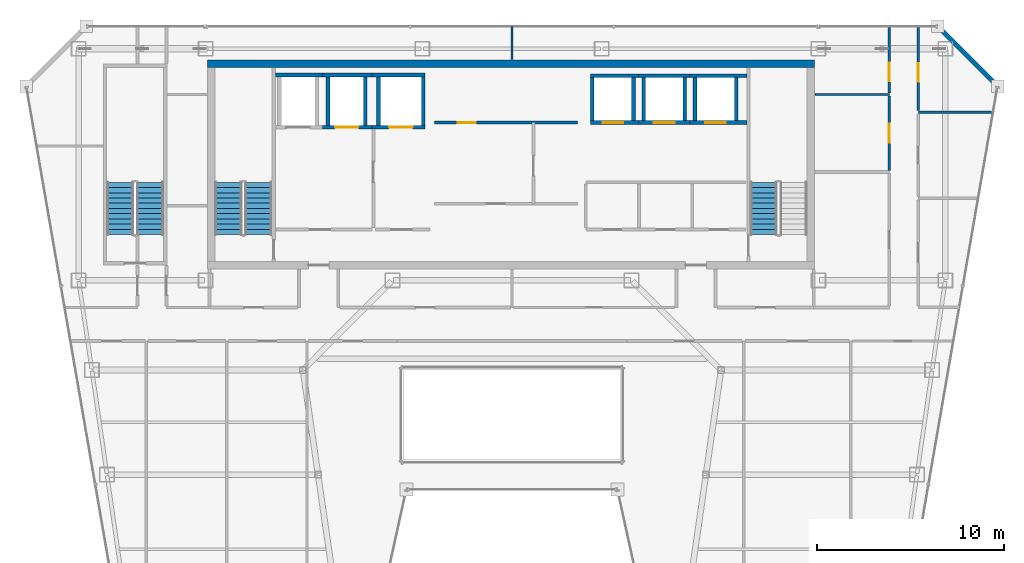
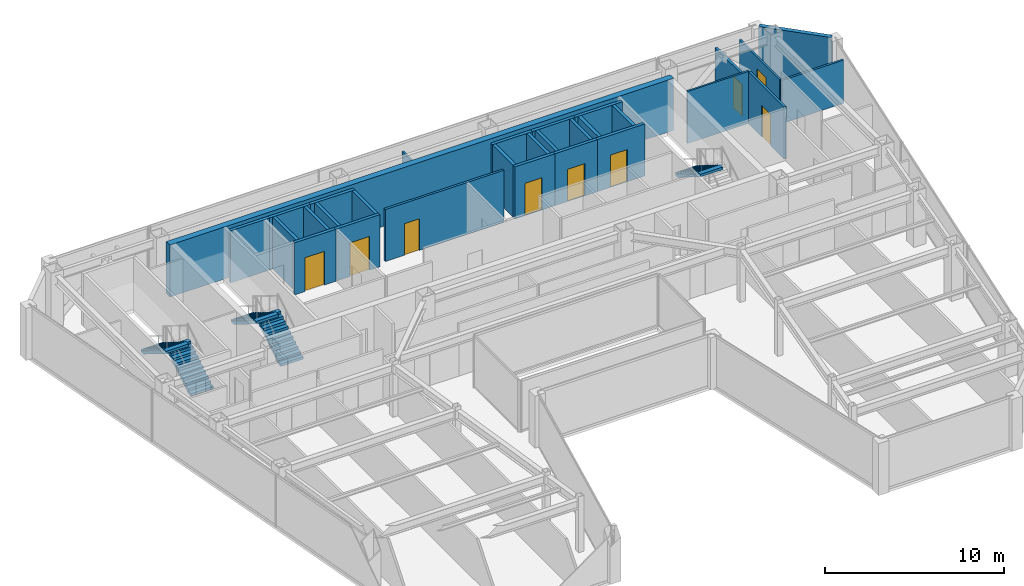
# One storey, part 28 of 33: 30 walls, 9 doors, 5 stair flights, 9 openings, 3 elements without a shape of their own.
"""IFC4 building model written with IfcOpenShell, lengths in metres."""

from ifc_helpers import new_model, si_unit, direction, frame, frame_2d, origin, place, context, subcontext, project, spatial, polyline, rectangle, outline, extrude, material, layer, layer_set, type_object, element, fill, aggregate, save


model = new_model("IFC4")

# Units and contexts
model_context = context("Model", 3, precision=1e-05, world=origin(), true_north=direction((0.0, 1.0)))
body_context = subcontext(model_context, "Body", "Model", "MODEL_VIEW")
ifc_project = project(units=[si_unit("LENGTHUNIT", "METRE"), si_unit("AREAUNIT", "SQUARE_METRE"), si_unit("VOLUMEUNIT", "CUBIC_METRE"), si_unit("PLANEANGLEUNIT", "RADIAN"), si_unit("MASSUNIT", "GRAM", prefix="KILO")], contexts=[model_context])

# Site, building, storey
site_placement = place(None, origin())
site = spatial("IfcSite", under=ifc_project, at=site_placement, CompositionType="ELEMENT")
building_placement = place(site_placement, origin())
building = spatial("IfcBuilding", under=site, at=building_placement, Name="Saevonmaru Cultural Tower", CompositionType="ELEMENT")
storey_placement = place(building_placement, frame((0.0, 0.0, 238.199951171875)))
storey = spatial("IfcBuildingStorey", under=building, at=storey_placement, Name="L55", CompositionType="ELEMENT", Elevation=238.199951171875)

# Wall
ifc_material_1 = material(Name="Concrete C50/60", Category="concrete")
ifc_layer_1 = layer(ifc_material_1, 0.39990234375, Name="Concrete C50/60")
ifc_layer_set_1 = layer_set([ifc_layer_1], Name="Concrete C50/60")
wall_type_1 = type_object("IfcWallType", Name="WL-CORE-400", PredefinedType="SHEAR", material=ifc_layer_set_1)
wall_1_placement = place(storey_placement, frame((13.699951171875, 54.0, 0.0), z_axis=(0.0, 0.0, 1.0), x_axis=(1.0, 0.0, 0.0)))
element("IfcWall", 1, at=wall_1_placement, inside=storey, type_object=wall_type_1, Name="L55 Tower RC core shear wall N", PredefinedType="SHEAR", context=body_context, shape_type="SweptSolid", body=[
    extrude(rectangle(XDim=32.5, YDim=0.39990234375, at=frame_2d((16.25, 0.0))), origin(), (0.0, 0.0, 1.0), 3.550048828125),
])

# Wall, opening, door
ifc_material_2 = material(Name="Gypsum Fireboard Partition", Category="gypsum")
ifc_layer_2 = layer(ifc_material_2, 0.14990234375, Name="Gypsum Fireboard Partition")
ifc_layer_set_2 = layer_set([ifc_layer_2], Name="Gypsum Fireboard Partition")
wall_type_2 = type_object("IfcWallType", Name="WL-CORE-PART-150", PredefinedType="PARTITIONING", material=ifc_layer_set_2)
wall_2_placement = place(storey_placement, frame((25.85009765625, 50.85009765625, 0.0), z_axis=(0.0, 0.0, 1.0), x_axis=(1.0, 0.0, 0.0)))
wall_2 = element("IfcWall", 2, at=wall_2_placement, inside=storey, type_object=wall_type_2, Name="L55 Reclaimed Core Room South Wall", PredefinedType="PARTITIONING", context=body_context, shape_type="SweptSolid", body=[
    extrude(rectangle(XDim=7.64990234375, YDim=0.14990234375, at=frame_2d((3.824951171875, 0.0))), origin(), (0.0, 0.0, 1.0), 3.550048828125),
])
opening_1_placement = place(wall_2_placement, frame((1.25, 0.0, 0.0)))
opening_1 = element("IfcOpeningElement", 3, at=opening_1_placement, cuts=wall_2, Name="Opening FD-4", PredefinedType="OPENING", context=body_context, shape_type="SweptSolid", body=[
    extrude(rectangle(XDim=0.949951171875, YDim=2.14990234375, at=frame_2d((0.47509765625, 1.074951171875))), frame((0.0, 0.0849609375, 0.0), z_axis=(0.0, -1.0, 0.0), x_axis=(1.0, 0.0, 0.0)), (0.0, 0.0, 1.0), 0.169921875),
])
ifc_material_3 = material(Name="Satin Bronze Anodised Aluminium", Category="aluminium")
door_type_1 = type_object("IfcDoorType", Name="DR-FD60-950", OperationType="SINGLE_SWING_LEFT", PredefinedType="DOOR", material=ifc_material_3)
door_1_placement = place(opening_1_placement, origin())
door_1 = element("IfcDoor", 4, at=door_1_placement, inside=storey, type_object=door_type_1, Name="L55 Reclaimed Archive Vault Door", OperationType="SINGLE_SWING_LEFT", OverallHeight=2.14990234375, OverallWidth=0.949951171875, PredefinedType="DOOR", context=body_context, shape_type="SweptSolid", body=[
    extrude(rectangle(XDim=0.949951171875, YDim=2.14990234375, at=frame_2d((0.47509765625, 1.074951171875))), frame((0.0, 0.02490234375, 0.0), z_axis=(0.0, -1.0, 0.0), x_axis=(1.0, 0.0, 0.0)), (0.0, 0.0, 1.0), 0.050048828125),
])
fill(opening_1, door_1)

# Wall
ifc_material_4 = material(Name="Granite-Clad Precast Concrete C40/50", Category="masonry")
ifc_layer_3 = layer(ifc_material_4, 0.260009765625, Name="Granite-Clad Precast Concrete C40/50")
ifc_layer_set_3 = layer_set([ifc_layer_3], Name="Granite-Clad Precast Concrete C40/50")
wall_type_3 = type_object("IfcWallType", Name="WL-EXT-SPANDREL-260", PredefinedType="STANDARD", material=ifc_layer_set_3)
wall_3_placement = place(storey_placement, frame((55.886962890625, 52.9130859375, 0.0), z_axis=(0.0, 0.0, 1.0), x_axis=(-0.707106781187, 0.707106781187, 0.0)))
element("IfcWall", 5, at=wall_3_placement, inside=storey, type_object=wall_type_3, Name="L55 Chamfer Corner Spandrel Wall E9", PredefinedType="STANDARD", context=body_context, shape_type="SweptSolid", body=[
    extrude(rectangle(XDim=4.205810546875, YDim=0.260009765625, at=frame_2d((2.10302734375, 0.0))), origin(), (0.0, 0.0, 1.0), 3.550048828125),
])

# Wall, opening, door
ifc_layer_4 = layer(ifc_material_2, 0.14990234375, Name="Gypsum Fireboard Partition")
ifc_layer_set_4 = layer_set([ifc_layer_4], Name="Gypsum Fireboard Partition")
wall_type_4 = type_object("IfcWallType", Name="WL-PART-FIRE-150", PredefinedType="PARTITIONING", material=ifc_layer_set_4)
wall_4_placement = place(storey_placement, frame((50.199951171875, 48.2900390625, 0.0), z_axis=(0.0, 0.0, 1.0), x_axis=(0.0, 1.0, 0.0)))
wall_4 = element("IfcWall", 6, at=wall_4_placement, inside=storey, type_object=wall_type_4, Name="L55 Chamber Rehearsal Auditorium Corridor Wall", PredefinedType="PARTITIONING", context=body_context, shape_type="SweptSolid", body=[
    extrude(rectangle(XDim=3.97998046875, YDim=0.14990234375, at=frame_2d((1.989990234375, 0.0))), origin(), (0.0, 0.0, 1.0), 3.550048828125),
])
opening_2_placement = place(wall_4_placement, frame((1.489990234375, 0.0, 0.0)))
opening_2 = element("IfcOpeningElement", 7, at=opening_2_placement, cuts=wall_4, Name="Opening ID-1B", PredefinedType="OPENING", context=body_context, shape_type="SweptSolid", body=[
    extrude(rectangle(XDim=1.0, YDim=2.14990234375, at=frame_2d((0.5, 1.074951171875))), frame((0.0, 0.0849609375, 0.0), z_axis=(0.0, -1.0, 0.0), x_axis=(1.0, 0.0, 0.0)), (0.0, 0.0, 1.0), 0.169921875),
])
ifc_material_5 = material(Name="Acoustic Stained Oak Timber", Category="wood")
door_type_2 = type_object("IfcDoorType", Name="DR-INT-1000", OperationType="SINGLE_SWING_RIGHT", PredefinedType="DOOR", material=ifc_material_5)
door_2_placement = place(opening_2_placement, origin())
door_2 = element("IfcDoor", 8, at=door_2_placement, inside=storey, type_object=door_type_2, Name="L55 Chamber Rehearsal Auditorium Door", OperationType="SINGLE_SWING_LEFT", OverallHeight=2.14990234375, OverallWidth=1.0, PredefinedType="DOOR", context=body_context, shape_type="SweptSolid", body=[
    extrude(rectangle(XDim=1.0, YDim=2.14990234375, at=frame_2d((0.5, 1.074951171875))), frame((0.0, 0.02490234375, 0.0), z_axis=(0.0, -1.0, 0.0), x_axis=(1.0, 0.0, 0.0)), (0.0, 0.0, 1.0), 0.050048828125),
])
fill(opening_2, door_2)

wall_5_placement = place(storey_placement, frame((50.199951171875, 52.429931640625, 0.0), z_axis=(0.0, 0.0, 1.0), x_axis=(0.0, 1.0, 0.0)))
wall_5 = element("IfcWall", 9, at=wall_5_placement, inside=storey, type_object=wall_type_4, Name="L55 Media Screening Auditorium Corridor Wall", PredefinedType="PARTITIONING", context=body_context, shape_type="SweptSolid", body=[
    extrude(rectangle(XDim=3.565185546875, YDim=0.14990234375, at=frame_2d((1.78271484375, 0.0))), origin(), (0.0, 0.0, 1.0), 2.93505859375),
])
opening_3_placement = place(wall_5_placement, frame((0.6220703125, 0.0, 0.0)))
opening_3 = element("IfcOpeningElement", 10, at=opening_3_placement, cuts=wall_5, Name="Opening ID-1B", PredefinedType="OPENING", context=body_context, shape_type="SweptSolid", body=[
    extrude(rectangle(XDim=1.0, YDim=2.14990234375, at=frame_2d((0.5, 1.074951171875))), frame((0.0, 0.0849609375, 0.0), z_axis=(0.0, -1.0, 0.0), x_axis=(1.0, 0.0, 0.0)), (0.0, 0.0, 1.0), 0.169921875),
])
door_3_placement = place(opening_3_placement, origin())
door_3 = element("IfcDoor", 11, at=door_3_placement, inside=storey, type_object=door_type_2, Name="L55 Media Screening Auditorium Door", OperationType="SINGLE_SWING_RIGHT", OverallHeight=2.14990234375, OverallWidth=1.0, PredefinedType="DOOR", context=body_context, shape_type="SweptSolid", body=[
    extrude(rectangle(XDim=1.0, YDim=2.14990234375, at=frame_2d((0.5, 1.074951171875))), frame((0.0, 0.02490234375, 0.0), z_axis=(0.0, -1.0, 0.0), x_axis=(1.0, 0.0, 0.0)), (0.0, 0.0, 1.0), 0.050048828125),
])
fill(opening_3, door_3)

# Walls
ifc_layer_5 = layer(ifc_material_2, 0.1201171875, Name="Gypsum Fireboard Partition")
ifc_layer_set_5 = layer_set([ifc_layer_5], Name="Gypsum Fireboard Partition")
wall_type_5 = type_object("IfcWallType", Name="WL-PART-GYP-120", PredefinedType="PARTITIONING", material=ifc_layer_set_5)
wall_6_placement = place(storey_placement, frame((46.219970703125, 52.35009765625, 0.0), z_axis=(0.0, 0.0, 1.0), x_axis=(1.0, 0.0, 0.0)))
element("IfcWall", 12, at=wall_6_placement, inside=storey, type_object=wall_type_5, Name="L55 North-East Panorama South Wall", PredefinedType="PARTITIONING", context=body_context, shape_type="SweptSolid", body=[
    extrude(rectangle(XDim=3.97998046875, YDim=0.1201171875, at=frame_2d((1.989990234375, 0.0))), origin(), (0.0, 0.0, 1.0), 3.550048828125),
])
wall_7_placement = place(storey_placement, frame((30.0, 54.219970703125, 0.0), z_axis=(0.0, 0.0, 1.0), x_axis=(0.0, 1.0, 0.0)))
element("IfcWall", 13, at=wall_7_placement, inside=storey, type_object=wall_type_5, Name="L55 North Panorama Center Split", PredefinedType="PARTITIONING", context=body_context, shape_type="SweptSolid", body=[
    extrude(rectangle(XDim=1.775146484375, YDim=0.1201171875, at=frame_2d((0.8876953125, 0.0))), origin(), (0.0, 0.0, 1.0), 2.93505859375),
])

# Wall, opening, door
wall_8_placement = place(storey_placement, frame((51.75, 51.487548828125, 0.0), z_axis=(0.0, 0.0, 1.0), x_axis=(0.0, 1.0, 0.0)))
wall_8 = element("IfcWall", 14, at=wall_8_placement, inside=storey, type_object=wall_type_5, Name="L55 Botanical Tea Bistro Corridor Wall", PredefinedType="PARTITIONING", context=body_context, shape_type="SweptSolid", body=[
    extrude(rectangle(XDim=4.507568359375, YDim=0.1201171875, at=frame_2d((2.25390625, 0.0))), origin(), (0.0, 0.0, 1.0), 2.93505859375),
])
opening_4_placement = place(wall_8_placement, frame((1.533935546875, 0.0, 0.0)))
opening_4 = element("IfcOpeningElement", 15, at=opening_4_placement, cuts=wall_8, Name="Opening ID-1B", PredefinedType="OPENING", context=body_context, shape_type="SweptSolid", body=[
    extrude(rectangle(XDim=1.0, YDim=2.14990234375, at=frame_2d((0.5, 1.074951171875))), frame((0.0, 0.070068359375, 0.0), z_axis=(0.0, -1.0, 0.0), x_axis=(1.0, 0.0, 0.0)), (0.0, 0.0, 1.0), 0.14013671875),
])
door_4_placement = place(opening_4_placement, origin())
door_4 = element("IfcDoor", 16, at=door_4_placement, inside=storey, type_object=door_type_2, Name="L55 Botanical Tea Bistro Door", OperationType="SINGLE_SWING_LEFT", OverallHeight=2.14990234375, OverallWidth=1.0, PredefinedType="DOOR", context=body_context, shape_type="SweptSolid", body=[
    extrude(rectangle(XDim=1.0, YDim=2.14990234375, at=frame_2d((0.5, 1.074951171875))), frame((0.0, 0.02490234375, 0.0), z_axis=(0.0, -1.0, 0.0), x_axis=(1.0, 0.0, 0.0)), (0.0, 0.0, 1.0), 0.050048828125),
])
fill(opening_4, door_4)

# Walls
ifc_layer_6 = layer(ifc_material_2, 0.135009765625, Name="Gypsum Fireboard Partition")
ifc_layer_set_6 = layer_set([ifc_layer_6], Name="Gypsum Fireboard Partition")
wall_type_6 = type_object("IfcWallType", Name="WL-PART-GYP-135", PredefinedType="PARTITIONING", material=ifc_layer_set_6)
wall_9_placement = place(storey_placement, frame((51.75, 51.39990234375, 0.0), z_axis=(0.0, 0.0, 1.0), x_axis=(1.0, 0.0, 0.0)))
element("IfcWall", 17, at=wall_9_placement, inside=storey, type_object=wall_type_6, Name="L55 NE Studio Divider 2", PredefinedType="PARTITIONING", context=body_context, shape_type="SweptSolid", body=[
    extrude(rectangle(XDim=4.002197265625, YDim=0.135009765625, at=frame_2d((2.0009765625, 0.0))), origin(), (0.0, 0.0, 1.0), 2.947021484375),
])
ifc_material_6 = material(Name="Concrete C40/50", Category="concrete")
ifc_layer_7 = layer(ifc_material_6, 0.199951171875, Name="Concrete C40/50")
ifc_layer_set_7 = layer_set([ifc_layer_7], Name="Concrete C40/50")
wall_type_7 = type_object("IfcWallType", Name="WL-SHAFT-200", PredefinedType="SHEAR", material=ifc_layer_set_7)
wall_10_placement = place(storey_placement, frame((17.330078125, 53.39990234375, 0.0), z_axis=(0.0, 0.0, 1.0), x_axis=(1.0, 0.0, 0.0)))
element("IfcWall", 18, at=wall_10_placement, inside=storey, type_object=wall_type_7, Name="L55 Lift FFL-1 Hoistway Wall N", PredefinedType="SHEAR", context=body_context, shape_type="SweptSolid", body=[
    extrude(rectangle(XDim=2.52001953125, YDim=0.199951171875, at=frame_2d((1.260009765625, 0.0))), origin(), (0.0, 0.0, 1.0), 3.550048828125),
])

# Wall, opening, door
wall_11_placement = place(storey_placement, frame((19.85009765625, 50.60009765625, 0.0), z_axis=(0.0, 0.0, 1.0), x_axis=(1.0, 0.0, 0.0)))
wall_11 = element("IfcWall", 19, at=wall_11_placement, inside=storey, type_object=wall_type_7, Name="L55 Lift FFL-2 Hoistway Wall S", PredefinedType="SHEAR", context=body_context, shape_type="SweptSolid", body=[
    extrude(rectangle(XDim=2.64990234375, YDim=0.199951171875, at=frame_2d((1.324951171875, 0.0))), origin(), (0.0, 0.0, 1.0), 3.550048828125),
])
opening_5_placement = place(wall_11_placement, frame((0.675048828125, 0.0, 0.0)))
opening_5 = element("IfcOpeningElement", 20, at=opening_5_placement, cuts=wall_11, Name="Opening LD-2", PredefinedType="OPENING", context=body_context, shape_type="SweptSolid", body=[
    extrude(rectangle(XDim=1.25, YDim=2.300048828125, at=frame_2d((0.625, 1.14990234375))), frame((0.0, 0.10986328125, 0.0), z_axis=(0.0, -1.0, 0.0), x_axis=(1.0, 0.0, 0.0)), (0.0, 0.0, 1.0), 0.219970703125),
])
ifc_material_7 = material(Name="Stainless Steel 316", Category="steel")
door_type_3 = type_object("IfcDoorType", Name="DR-LIFT-1250", OperationType="SLIDING_TO_LEFT", PredefinedType="DOOR", material=ifc_material_7)
door_5_placement = place(opening_5_placement, origin())
door_5 = element("IfcDoor", 21, at=door_5_placement, inside=storey, type_object=door_type_3, Name="L55 Lift FFL-2 Sliding Landing Door", OperationType="SLIDING_TO_LEFT", OverallHeight=2.300048828125, OverallWidth=1.25, PredefinedType="DOOR", context=body_context, shape_type="SweptSolid", body=[
    extrude(rectangle(XDim=1.25, YDim=2.300048828125, at=frame_2d((0.625, 1.14990234375))), frame((0.0, 0.02490234375, 0.0), z_axis=(0.0, -1.0, 0.0), x_axis=(1.0, 0.0, 0.0)), (0.0, 0.0, 1.0), 0.050048828125),
])
fill(opening_5, door_5)

# Walls
wall_12_placement = place(storey_placement, frame((19.85009765625, 53.39990234375, 0.0), z_axis=(0.0, 0.0, 1.0), x_axis=(1.0, 0.0, 0.0)))
element("IfcWall", 22, at=wall_12_placement, inside=storey, type_object=wall_type_7, Name="L55 Lift FFL-2 Hoistway Wall N", PredefinedType="SHEAR", context=body_context, shape_type="SweptSolid", body=[
    extrude(rectangle(XDim=2.64990234375, YDim=0.199951171875, at=frame_2d((1.324951171875, 0.0))), origin(), (0.0, 0.0, 1.0), 3.550048828125),
])
for number, where, z_axis, x_axis, name in (
    (23, (20.14990234375, 50.699951171875, 0.0), (0.0, 0.0, 1.0), (0.0, 1.0, 0.0), "L55 Lift FFL-2 Hoistway Wall W"),
    (24, (22.14990234375, 50.699951171875, 0.0), (0.0, 0.0, 1.0), (0.0, 1.0, 0.0), "L55 Lift FFL-2 Hoistway Wall E"),
):
    element("IfcWall", number, at=place(storey_placement, frame(where, z_axis=z_axis, x_axis=x_axis)), inside=storey, type_object=wall_type_7, Name=name, PredefinedType="SHEAR", context=body_context, shape_type="SweptSolid", body=[
        extrude(rectangle(XDim=2.60009765625, YDim=0.199951171875, at=frame_2d((1.300048828125, 0.0))), origin(), (0.0, 0.0, 1.0), 3.550048828125),
    ])

# Wall, opening, door
wall_13_placement = place(storey_placement, frame((22.5, 50.60009765625, 0.0), z_axis=(0.0, 0.0, 1.0), x_axis=(1.0, 0.0, 0.0)))
wall_13 = element("IfcWall", 25, at=wall_13_placement, inside=storey, type_object=wall_type_7, Name="L55 Lift GL-1 Hoistway Wall S", PredefinedType="SHEAR", context=body_context, shape_type="SweptSolid", body=[
    extrude(rectangle(XDim=2.85009765625, YDim=0.199951171875, at=frame_2d((1.425048828125, 0.0))), origin(), (0.0, 0.0, 1.0), 3.550048828125),
])
opening_6_placement = place(wall_13_placement, frame((0.925048828125, 0.0, 0.0)))
opening_6 = element("IfcOpeningElement", 26, at=opening_6_placement, cuts=wall_13, Name="Opening LD-2", PredefinedType="OPENING", context=body_context, shape_type="SweptSolid", body=[
    extrude(rectangle(XDim=1.25, YDim=2.300048828125, at=frame_2d((0.625, 1.14990234375))), frame((0.0, 0.10986328125, 0.0), z_axis=(0.0, -1.0, 0.0), x_axis=(1.0, 0.0, 0.0)), (0.0, 0.0, 1.0), 0.219970703125),
])
door_6_placement = place(opening_6_placement, origin())
door_6 = element("IfcDoor", 27, at=door_6_placement, inside=storey, type_object=door_type_3, Name="L55 Lift GL-1 Sliding Landing Door", OperationType="SLIDING_TO_LEFT", OverallHeight=2.300048828125, OverallWidth=1.25, PredefinedType="DOOR", context=body_context, shape_type="SweptSolid", body=[
    extrude(rectangle(XDim=1.25, YDim=2.300048828125, at=frame_2d((0.625, 1.14990234375))), frame((0.0, 0.02490234375, 0.0), z_axis=(0.0, -1.0, 0.0), x_axis=(1.0, 0.0, 0.0)), (0.0, 0.0, 1.0), 0.050048828125),
])
fill(opening_6, door_6)

# Walls
wall_14_placement = place(storey_placement, frame((22.5, 53.39990234375, 0.0), z_axis=(0.0, 0.0, 1.0), x_axis=(1.0, 0.0, 0.0)))
element("IfcWall", 28, at=wall_14_placement, inside=storey, type_object=wall_type_7, Name="L55 Lift GL-1 Hoistway Wall N", PredefinedType="SHEAR", context=body_context, shape_type="SweptSolid", body=[
    extrude(rectangle(XDim=2.85009765625, YDim=0.199951171875, at=frame_2d((1.425048828125, 0.0))), origin(), (0.0, 0.0, 1.0), 3.550048828125),
])
for number, where, z_axis, x_axis, name in (
    (29, (22.85009765625, 50.699951171875, 0.0), (0.0, 0.0, 1.0), (0.0, 1.0, 0.0), "L55 Lift GL-1 Hoistway Wall W"),
    (30, (25.25, 50.699951171875, 0.0), (0.0, 0.0, 1.0), (0.0, 1.0, 0.0), "L55 Lift GL-1 Hoistway Wall E"),
):
    element("IfcWall", number, at=place(storey_placement, frame(where, z_axis=z_axis, x_axis=x_axis)), inside=storey, type_object=wall_type_7, Name=name, PredefinedType="SHEAR", context=body_context, shape_type="SweptSolid", body=[
        extrude(rectangle(XDim=2.60009765625, YDim=0.199951171875, at=frame_2d((1.300048828125, 0.0))), origin(), (0.0, 0.0, 1.0), 3.550048828125),
    ])

# Wall, opening, door
wall_15_placement = place(storey_placement, frame((34.199951171875, 50.85009765625, 0.0), z_axis=(0.0, 0.0, 1.0), x_axis=(1.0, 0.0, 0.0)))
wall_15 = element("IfcWall", 31, at=wall_15_placement, inside=storey, type_object=wall_type_7, Name="L55 Lift PL-H1 Hoistway Wall S", PredefinedType="SHEAR", context=body_context, shape_type="SweptSolid", body=[
    extrude(rectangle(XDim=2.574951171875, YDim=0.199951171875, at=frame_2d((1.28759765625, 0.0))), origin(), (0.0, 0.0, 1.0), 3.550048828125),
])
opening_7_placement = place(wall_15_placement, frame((0.64990234375, 0.0, 0.0)))
opening_7 = element("IfcOpeningElement", 32, at=opening_7_placement, cuts=wall_15, Name="Opening LD-1", PredefinedType="OPENING", context=body_context, shape_type="SweptSolid", body=[
    extrude(rectangle(XDim=1.10009765625, YDim=2.199951171875, at=frame_2d((0.550048828125, 1.10009765625))), frame((0.0, 0.10986328125, 0.0), z_axis=(0.0, -1.0, 0.0), x_axis=(1.0, 0.0, 0.0)), (0.0, 0.0, 1.0), 0.219970703125),
])
ifc_material_8 = material(Name="Satin Bronze Stainless Steel", Category="steel")
door_type_4 = type_object("IfcDoorType", Name="DR-LIFT-1100", OperationType="SLIDING_TO_LEFT", PredefinedType="DOOR", material=ifc_material_8)
door_7_placement = place(opening_7_placement, origin())
door_7 = element("IfcDoor", 33, at=door_7_placement, inside=storey, type_object=door_type_4, Name="L55 Lift PL-H1 Sliding Landing Door", OperationType="SLIDING_TO_LEFT", OverallHeight=2.199951171875, OverallWidth=1.10009765625, PredefinedType="DOOR", context=body_context, shape_type="SweptSolid", body=[
    extrude(rectangle(XDim=1.10009765625, YDim=2.199951171875, at=frame_2d((0.550048828125, 1.10009765625))), frame((0.0, 0.02490234375, 0.0), z_axis=(0.0, -1.0, 0.0), x_axis=(1.0, 0.0, 0.0)), (0.0, 0.0, 1.0), 0.050048828125),
])
fill(opening_7, door_7)

# Walls
wall_16_placement = place(storey_placement, frame((34.199951171875, 53.35009765625, 0.0), z_axis=(0.0, 0.0, 1.0), x_axis=(1.0, 0.0, 0.0)))
element("IfcWall", 34, at=wall_16_placement, inside=storey, type_object=wall_type_7, Name="L55 Lift PL-H1 Hoistway Wall N", PredefinedType="SHEAR", context=body_context, shape_type="SweptSolid", body=[
    extrude(rectangle(XDim=2.574951171875, YDim=0.199951171875, at=frame_2d((1.28759765625, 0.0))), origin(), (0.0, 0.0, 1.0), 3.550048828125),
])
for number, where, z_axis, x_axis, name in (
    (35, (34.300048828125, 50.949951171875, 0.0), (0.0, 0.0, 1.0), (0.0, 1.0, 0.0), "L55 Lift PL-H1 Hoistway Wall W"),
    (36, (36.5, 50.949951171875, 0.0), (0.0, 0.0, 1.0), (0.0, 1.0, 0.0), "L55 Lift PL-H1 Hoistway Wall E"),
):
    element("IfcWall", number, at=place(storey_placement, frame(where, z_axis=z_axis, x_axis=x_axis)), inside=storey, type_object=wall_type_7, Name=name, PredefinedType="SHEAR", context=body_context, shape_type="SweptSolid", body=[
        extrude(rectangle(XDim=2.300048828125, YDim=0.199951171875, at=frame_2d((1.14990234375, 0.0))), origin(), (0.0, 0.0, 1.0), 3.550048828125),
    ])

# Wall, opening, door
wall_17_placement = place(storey_placement, frame((36.77490234375, 50.85009765625, 0.0), z_axis=(0.0, 0.0, 1.0), x_axis=(1.0, 0.0, 0.0)))
wall_17 = element("IfcWall", 37, at=wall_17_placement, inside=storey, type_object=wall_type_7, Name="L55 Lift PL-H2 Hoistway Wall S", PredefinedType="SHEAR", context=body_context, shape_type="SweptSolid", body=[
    extrude(rectangle(XDim=2.75, YDim=0.199951171875, at=frame_2d((1.375, 0.0))), origin(), (0.0, 0.0, 1.0), 3.550048828125),
])
opening_8_placement = place(wall_17_placement, frame((0.824951171875, 0.0, 0.0)))
opening_8 = element("IfcOpeningElement", 38, at=opening_8_placement, cuts=wall_17, Name="Opening LD-1", PredefinedType="OPENING", context=body_context, shape_type="SweptSolid", body=[
    extrude(rectangle(XDim=1.10009765625, YDim=2.199951171875, at=frame_2d((0.550048828125, 1.10009765625))), frame((0.0, 0.10986328125, 0.0), z_axis=(0.0, -1.0, 0.0), x_axis=(1.0, 0.0, 0.0)), (0.0, 0.0, 1.0), 0.219970703125),
])
door_8_placement = place(opening_8_placement, origin())
door_8 = element("IfcDoor", 39, at=door_8_placement, inside=storey, type_object=door_type_4, Name="L55 Lift PL-H2 Sliding Landing Door", OperationType="SLIDING_TO_LEFT", OverallHeight=2.199951171875, OverallWidth=1.10009765625, PredefinedType="DOOR", context=body_context, shape_type="SweptSolid", body=[
    extrude(rectangle(XDim=1.10009765625, YDim=2.199951171875, at=frame_2d((0.550048828125, 1.10009765625))), frame((0.0, 0.02490234375, 0.0), z_axis=(0.0, -1.0, 0.0), x_axis=(1.0, 0.0, 0.0)), (0.0, 0.0, 1.0), 0.050048828125),
])
fill(opening_8, door_8)

# Walls
wall_18_placement = place(storey_placement, frame((36.77490234375, 53.35009765625, 0.0), z_axis=(0.0, 0.0, 1.0), x_axis=(1.0, 0.0, 0.0)))
element("IfcWall", 40, at=wall_18_placement, inside=storey, type_object=wall_type_7, Name="L55 Lift PL-H2 Hoistway Wall N", PredefinedType="SHEAR", context=body_context, shape_type="SweptSolid", body=[
    extrude(rectangle(XDim=2.75, YDim=0.199951171875, at=frame_2d((1.375, 0.0))), origin(), (0.0, 0.0, 1.0), 3.550048828125),
])
for number, where, z_axis, x_axis, name in (
    (41, (37.050048828125, 50.949951171875, 0.0), (0.0, 0.0, 1.0), (0.0, 1.0, 0.0), "L55 Lift PL-H2 Hoistway Wall W"),
    (42, (39.25, 50.949951171875, 0.0), (0.0, 0.0, 1.0), (0.0, 1.0, 0.0), "L55 Lift PL-H2 Hoistway Wall E"),
):
    element("IfcWall", number, at=place(storey_placement, frame(where, z_axis=z_axis, x_axis=x_axis)), inside=storey, type_object=wall_type_7, Name=name, PredefinedType="SHEAR", context=body_context, shape_type="SweptSolid", body=[
        extrude(rectangle(XDim=2.300048828125, YDim=0.199951171875, at=frame_2d((1.14990234375, 0.0))), origin(), (0.0, 0.0, 1.0), 3.550048828125),
    ])

# Wall, opening, door
wall_19_placement = place(storey_placement, frame((39.52490234375, 50.85009765625, 0.0), z_axis=(0.0, 0.0, 1.0), x_axis=(1.0, 0.0, 0.0)))
wall_19 = element("IfcWall", 43, at=wall_19_placement, inside=storey, type_object=wall_type_7, Name="L55 Lift PL-H3 Hoistway Wall S", PredefinedType="SHEAR", context=body_context, shape_type="SweptSolid", body=[
    extrude(rectangle(XDim=3.045166015625, YDim=0.199951171875, at=frame_2d((1.5224609375, 0.0))), origin(), (0.0, 0.0, 1.0), 3.550048828125),
])
opening_9_placement = place(wall_19_placement, frame((0.824951171875, 0.0, 0.0)))
opening_9 = element("IfcOpeningElement", 44, at=opening_9_placement, cuts=wall_19, Name="Opening LD-1", PredefinedType="OPENING", context=body_context, shape_type="SweptSolid", body=[
    extrude(rectangle(XDim=1.10009765625, YDim=2.199951171875, at=frame_2d((0.550048828125, 1.10009765625))), frame((0.0, 0.10986328125, 0.0), z_axis=(0.0, -1.0, 0.0), x_axis=(1.0, 0.0, 0.0)), (0.0, 0.0, 1.0), 0.219970703125),
])
door_9_placement = place(opening_9_placement, origin())
door_9 = element("IfcDoor", 45, at=door_9_placement, inside=storey, type_object=door_type_4, Name="L55 Lift PL-H3 Sliding Landing Door", OperationType="SLIDING_TO_LEFT", OverallHeight=2.199951171875, OverallWidth=1.10009765625, PredefinedType="DOOR", context=body_context, shape_type="SweptSolid", body=[
    extrude(rectangle(XDim=1.10009765625, YDim=2.199951171875, at=frame_2d((0.550048828125, 1.10009765625))), frame((0.0, 0.02490234375, 0.0), z_axis=(0.0, -1.0, 0.0), x_axis=(1.0, 0.0, 0.0)), (0.0, 0.0, 1.0), 0.050048828125),
])
fill(opening_9, door_9)

# Walls
wall_20_placement = place(storey_placement, frame((39.52490234375, 53.35009765625, 0.0), z_axis=(0.0, 0.0, 1.0), x_axis=(1.0, 0.0, 0.0)))
element("IfcWall", 46, at=wall_20_placement, inside=storey, type_object=wall_type_7, Name="L55 Lift PL-H3 Hoistway Wall N", PredefinedType="SHEAR", context=body_context, shape_type="SweptSolid", body=[
    extrude(rectangle(XDim=3.045166015625, YDim=0.199951171875, at=frame_2d((1.5224609375, 0.0))), origin(), (0.0, 0.0, 1.0), 3.550048828125),
])
for number, where, z_axis, x_axis, name in (
    (47, (39.800048828125, 50.949951171875, 0.0), (0.0, 0.0, 1.0), (0.0, 1.0, 0.0), "L55 Lift PL-H3 Hoistway Wall W"),
    (48, (42.0, 50.949951171875, 0.0), (0.0, 0.0, 1.0), (0.0, 1.0, 0.0), "L55 Lift PL-H3 Hoistway Wall E"),
):
    element("IfcWall", number, at=place(storey_placement, frame(where, z_axis=z_axis, x_axis=x_axis)), inside=storey, type_object=wall_type_7, Name=name, PredefinedType="SHEAR", context=body_context, shape_type="SweptSolid", body=[
        extrude(rectangle(XDim=2.300048828125, YDim=0.199951171875, at=frame_2d((1.14990234375, 0.0))), origin(), (0.0, 0.0, 1.0), 3.550048828125),
    ])

# Stair, stair flights
stair_type = type_object("IfcStairType", Name="STR-DOGLEG-RC", PredefinedType="HALF_TURN_STAIR", material=ifc_material_6)
stair_1_placement = place(storey_placement, origin())
stair_1 = element("IfcStair", 49, at=stair_1_placement, inside=storey, type_object=stair_type, Name="L55 Protected exit stair ST-1", PredefinedType="HALF_TURN_STAIR")
ifc_material_9 = material(Name="Precast concrete C40/50", Category="concrete")
stair_flight_type = type_object("IfcStairFlightType", Name="STF-PRECAST-180", PredefinedType="STRAIGHT", material=ifc_material_9)
stair_flight_1_placement = place(storey_placement, frame((16.425048828125, 44.85009765625, 0.0), z_axis=(0.0, 0.0, 1.0), x_axis=(0.0, 1.0, 0.0)))
stair_flight_1 = element("IfcStairFlight", 50, at=stair_flight_1_placement, type_object=stair_flight_type, Name="ST-1-L55 flight 1", NumberOfRisers=11, NumberOfTreads=10, PredefinedType="STRAIGHT", RiserHeight=0.172727273, TreadLength=0.28, context=body_context, shape_type="SweptSolid", body=[
    extrude(outline(polyline([(0.0, 0.0), (0.0, 0.172607421875), (0.280029296875, 0.172607421875), (0.280029296875, 0.345458984375), (0.56005859375, 0.345458984375), (0.56005859375, 0.51806640625), (0.840087890625, 0.51806640625), (0.840087890625, 0.69091796875), (1.1201171875, 0.69091796875), (1.1201171875, 0.863525390625), (1.39990234375, 0.863525390625), (1.39990234375, 1.036376953125), (1.679931640625, 1.036376953125), (1.679931640625, 1.208984375), (1.9599609375, 1.208984375), (1.9599609375, 1.3818359375), (2.239990234375, 1.3818359375), (2.239990234375, 1.554443359375), (2.52001953125, 1.554443359375), (2.52001953125, 1.727294921875), (2.800048828125, 1.727294921875), (2.800048828125, 1.89990234375), (2.800048828125, 1.551025390625), (0.285400390625, 0.0), (0.0, 0.0)])), frame((0.0, 0.72509765625, 0.0), z_axis=(0.0, -1.0, 0.0), x_axis=(1.0, 0.0, 0.0)), (0.0, 0.0, 1.0), 1.449951171875),
])
stair_flight_2_placement = place(storey_placement, frame((14.824951171875, 47.64990234375, 1.900146484375), z_axis=(0.0, 0.0, 1.0), x_axis=(0.0, -1.0, 0.0)))
stair_flight_2 = element("IfcStairFlight", 51, at=stair_flight_2_placement, type_object=stair_flight_type, Name="ST-1-L55 flight 2", NumberOfRisers=11, NumberOfTreads=10, PredefinedType="STRAIGHT", RiserHeight=0.172727273, TreadLength=0.28, context=body_context, shape_type="SweptSolid", body=[
    extrude(outline(polyline([(0.0, 0.0), (0.0, 0.172607421875), (0.280029296875, 0.172607421875), (0.280029296875, 0.345458984375), (0.56005859375, 0.345458984375), (0.56005859375, 0.51806640625), (0.840087890625, 0.51806640625), (0.840087890625, 0.69091796875), (1.1201171875, 0.69091796875), (1.1201171875, 0.863525390625), (1.39990234375, 0.863525390625), (1.39990234375, 1.036376953125), (1.679931640625, 1.036376953125), (1.679931640625, 1.208984375), (1.9599609375, 1.208984375), (1.9599609375, 1.3818359375), (2.239990234375, 1.3818359375), (2.239990234375, 1.554443359375), (2.52001953125, 1.554443359375), (2.52001953125, 1.727294921875), (2.800048828125, 1.727294921875), (2.800048828125, 1.89990234375), (2.800048828125, 1.551025390625), (0.285400390625, 0.0), (0.0, 0.0)])), frame((0.0, 0.72509765625, 0.0), z_axis=(0.0, -1.0, 0.0), x_axis=(1.0, 0.0, 0.0)), (0.0, 0.0, 1.0), 1.449951171875),
])
aggregate(stair_1, [stair_flight_1, stair_flight_2])

# Stair, stair flight
stair_2_placement = place(storey_placement, origin())
stair_2 = element("IfcStair", 52, at=stair_2_placement, inside=storey, type_object=stair_type, Name="L55 Protected exit stair ST-2", PredefinedType="HALF_TURN_STAIR")
stair_flight_3_placement = place(storey_placement, frame((43.47509765625, 47.64990234375, 1.900146484375), z_axis=(0.0, 0.0, 1.0), x_axis=(0.0, -1.0, 0.0)))
stair_flight_3 = element("IfcStairFlight", 53, at=stair_flight_3_placement, type_object=stair_flight_type, Name="ST-2-L55 flight 2", NumberOfRisers=11, NumberOfTreads=10, PredefinedType="STRAIGHT", RiserHeight=0.172727273, TreadLength=0.28, context=body_context, shape_type="SweptSolid", body=[
    extrude(outline(polyline([(0.0, 0.0), (0.0, 0.172607421875), (0.280029296875, 0.172607421875), (0.280029296875, 0.345458984375), (0.56005859375, 0.345458984375), (0.56005859375, 0.51806640625), (0.840087890625, 0.51806640625), (0.840087890625, 0.69091796875), (1.1201171875, 0.69091796875), (1.1201171875, 0.863525390625), (1.39990234375, 0.863525390625), (1.39990234375, 1.036376953125), (1.679931640625, 1.036376953125), (1.679931640625, 1.208984375), (1.9599609375, 1.208984375), (1.9599609375, 1.3818359375), (2.239990234375, 1.3818359375), (2.239990234375, 1.554443359375), (2.52001953125, 1.554443359375), (2.52001953125, 1.727294921875), (2.800048828125, 1.727294921875), (2.800048828125, 1.89990234375), (2.800048828125, 1.551025390625), (0.285400390625, 0.0), (0.0, 0.0)])), frame((0.0, 0.72509765625, 0.0), z_axis=(0.0, -1.0, 0.0), x_axis=(1.0, 0.0, 0.0)), (0.0, 0.0, 1.0), 1.449951171875),
])
aggregate(stair_2, [stair_flight_3])

# Stair, stair flights
stair_3_placement = place(storey_placement, origin())
stair_3 = element("IfcStair", 54, at=stair_3_placement, inside=storey, type_object=stair_type, Name="L55 Protected exit stair ST-3", PredefinedType="HALF_TURN_STAIR")
stair_flight_4_placement = place(storey_placement, frame((10.625, 44.85009765625, 0.0), z_axis=(0.0, 0.0, 1.0), x_axis=(0.0, 1.0, 0.0)))
stair_flight_4 = element("IfcStairFlight", 55, at=stair_flight_4_placement, type_object=stair_flight_type, Name="ST-3-L55 flight 1", NumberOfRisers=11, NumberOfTreads=10, PredefinedType="STRAIGHT", RiserHeight=0.172727273, TreadLength=0.28, context=body_context, shape_type="SweptSolid", body=[
    extrude(outline(polyline([(0.0, 0.0), (0.0, 0.172607421875), (0.280029296875, 0.172607421875), (0.280029296875, 0.345458984375), (0.56005859375, 0.345458984375), (0.56005859375, 0.51806640625), (0.840087890625, 0.51806640625), (0.840087890625, 0.69091796875), (1.1201171875, 0.69091796875), (1.1201171875, 0.863525390625), (1.39990234375, 0.863525390625), (1.39990234375, 1.036376953125), (1.679931640625, 1.036376953125), (1.679931640625, 1.208984375), (1.9599609375, 1.208984375), (1.9599609375, 1.3818359375), (2.239990234375, 1.3818359375), (2.239990234375, 1.554443359375), (2.52001953125, 1.554443359375), (2.52001953125, 1.727294921875), (2.800048828125, 1.727294921875), (2.800048828125, 1.89990234375), (2.800048828125, 1.551025390625), (0.285400390625, 0.0), (0.0, 0.0)])), frame((0.0, 0.72509765625, 0.0), z_axis=(0.0, -1.0, 0.0), x_axis=(1.0, 0.0, 0.0)), (0.0, 0.0, 1.0), 1.449951171875),
])
stair_flight_5_placement = place(storey_placement, frame((9.02490234375, 47.64990234375, 1.900146484375), z_axis=(0.0, 0.0, 1.0), x_axis=(0.0, -1.0, 0.0)))
stair_flight_5 = element("IfcStairFlight", 56, at=stair_flight_5_placement, type_object=stair_flight_type, Name="ST-3-L55 flight 2", NumberOfRisers=11, NumberOfTreads=10, PredefinedType="STRAIGHT", RiserHeight=0.172727273, TreadLength=0.28, context=body_context, shape_type="SweptSolid", body=[
    extrude(outline(polyline([(0.0, 0.0), (0.0, 0.172607421875), (0.280029296875, 0.172607421875), (0.280029296875, 0.345458984375), (0.56005859375, 0.345458984375), (0.56005859375, 0.51806640625), (0.840087890625, 0.51806640625), (0.840087890625, 0.69091796875), (1.1201171875, 0.69091796875), (1.1201171875, 0.863525390625), (1.39990234375, 0.863525390625), (1.39990234375, 1.036376953125), (1.679931640625, 1.036376953125), (1.679931640625, 1.208984375), (1.9599609375, 1.208984375), (1.9599609375, 1.3818359375), (2.239990234375, 1.3818359375), (2.239990234375, 1.554443359375), (2.52001953125, 1.554443359375), (2.52001953125, 1.727294921875), (2.800048828125, 1.727294921875), (2.800048828125, 1.89990234375), (2.800048828125, 1.551025390625), (0.285400390625, 0.0), (0.0, 0.0)])), frame((0.0, 0.72509765625, 0.0), z_axis=(0.0, -1.0, 0.0), x_axis=(1.0, 0.0, 0.0)), (0.0, 0.0, 1.0), 1.449951171875),
])
aggregate(stair_3, [stair_flight_4, stair_flight_5])

save(model, "model.ifc")
